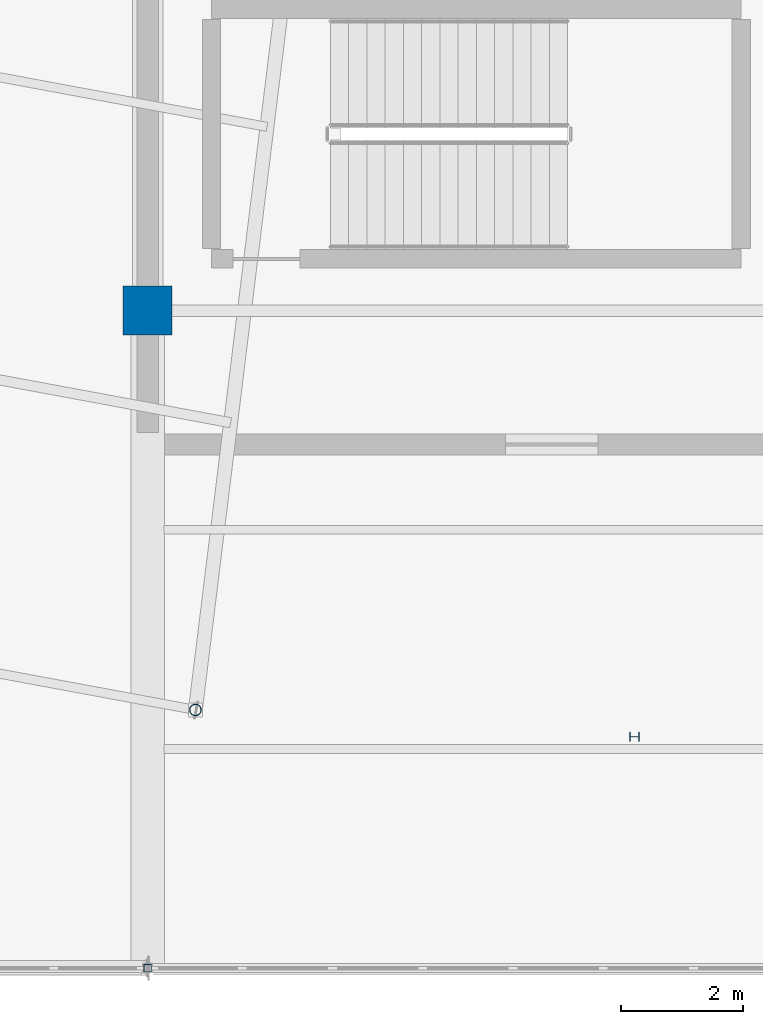
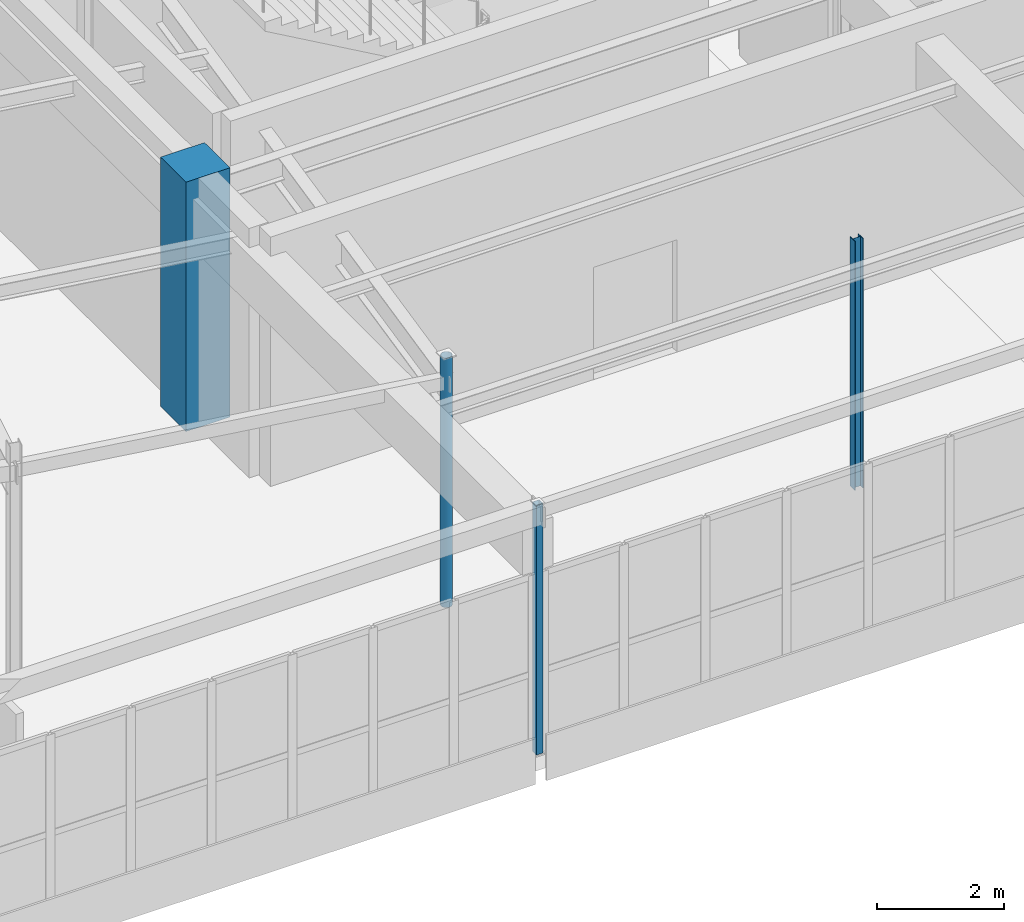
# One storey, part 6 of 186: 4 columns.
"""IFC4 building model written with IfcOpenShell, lengths in metres."""

from ifc_helpers import new_model, si_unit, direction, frame, origin, origin_2d, place, context, subcontext, project, spatial, rectangle, hollow_rectangle, hollow_circle, i_section, extrude, material, material_profile, profile_set, type_object, element, save


model = new_model("IFC4")

# Units and contexts
model_context = context("Model", 3, precision=1e-05, world=origin(), true_north=direction((0.0, 1.0)))
body_context = subcontext(model_context, "Body", "Model", "MODEL_VIEW")
ifc_project = project(units=[si_unit("LENGTHUNIT", "METRE"), si_unit("AREAUNIT", "SQUARE_METRE"), si_unit("VOLUMEUNIT", "CUBIC_METRE"), si_unit("PLANEANGLEUNIT", "RADIAN"), si_unit("MASSUNIT", "GRAM", prefix="KILO")], contexts=[model_context])

# Site, building, storey
site_placement = place(None, origin())
site = spatial("IfcSite", under=ifc_project, at=site_placement, CompositionType="ELEMENT")
building_placement = place(site_placement, origin())
building = spatial("IfcBuilding", under=site, at=building_placement, Name="Tarnwether General Hospital", CompositionType="ELEMENT")
storey_placement = place(building_placement, frame((0.0, 0.0, 9.60009765625)))
storey = spatial("IfcBuildingStorey", under=building, at=storey_placement, Name="L02", CompositionType="ELEMENT", Elevation=9.60009765625)

# Columns
ifc_material_1 = material(Name="Concrete 50 MPa", Category="concrete")
ifc_material_profile_1 = material_profile(ifc_material_1, rectangle(XDim=0.800048828125, YDim=0.800048828125, at=origin_2d()), Name="RC-COL-800x800")
ifc_profile_set_1 = profile_set([ifc_material_profile_1], Name="Concrete 50 MPa")
column_type_1 = type_object("IfcColumnType", Name="COL-16", PredefinedType="COLUMN", material=ifc_profile_set_1)
column_1_placement = place(storey_placement, frame((84.0, 10.800048828125, 0.0), z_axis=(0.0, 0.0, 1.0), x_axis=(0.0, 1.0, 0.0)))
element("IfcColumn", 1, at=column_1_placement, inside=storey, type_object=column_type_1, Name="Column COLG-L02-8400_1080", PredefinedType="COLUMN", context=body_context, shape_type="SweptSolid", body=[
    extrude(rectangle(XDim=0.800048828125, YDim=0.800048828125, at=origin_2d()), origin(), (0.0, 0.0, 1.0), 4.7998046875),
])
ifc_material_2 = material(Name="Steel Grade C350L0 (350 MPa)", Category="steel")
ifc_material_profile_2 = material_profile(ifc_material_2, hollow_circle(Radius=0.096923828125, WallThickness=0.008056640625, at=origin_2d()), Name="CHS193.7x8.0")
ifc_profile_set_2 = profile_set([ifc_material_profile_2], Name="Steel Grade C350L0 (350 MPa)")
column_type_2 = type_object("IfcColumnType", Name="COL-29", PredefinedType="COLUMN", material=ifc_profile_set_2)
column_2_placement = place(storey_placement, frame((84.784912109375, 4.240966796875, 0.0), z_axis=(0.0, 0.0, 1.0), x_axis=(0.121869343405, 0.992546151641, 0.0)))
element("IfcColumn", 2, at=column_2_placement, inside=storey, type_object=column_type_2, Name="Column COLG-L02-8478_424", PredefinedType="COLUMN", context=body_context, shape_type="SweptSolid", body=[
    extrude(hollow_circle(Radius=0.096923828125, WallThickness=0.008056640625, at=origin_2d()), origin(), (0.0, 0.0, 1.0), 4.7998046875),
])
ifc_material_3 = material(Name="Steel Grade 350 (350 MPa)", Category="steel")
ifc_material_profile_3 = material_profile(ifc_material_3, i_section(OverallWidth=0.153076171875, OverallDepth=0.157958984375, WebThickness=0.006591796875, FlangeThickness=0.009521484375, at=origin_2d()), Name="150UC30.0")
ifc_profile_set_3 = profile_set([ifc_material_profile_3], Name="Steel Grade 350 (350 MPa)")
column_type_3 = type_object("IfcColumnType", Name="COL-31", PredefinedType="COLUMN", material=ifc_profile_set_3)
column_3_placement = place(storey_placement, frame((92.0, 3.800048828125, 0.0), z_axis=(0.0, 0.0, 1.0), x_axis=(0.0, 1.0, 0.0)))
element("IfcColumn", 3, at=column_3_placement, inside=storey, type_object=column_type_3, Name="Column COLG-L02-9200_380", PredefinedType="COLUMN", context=body_context, shape_type="SweptSolid", body=[
    extrude(i_section(OverallWidth=0.153076171875, OverallDepth=0.157958984375, WebThickness=0.006591796875, FlangeThickness=0.009521484375, at=origin_2d()), origin(), (0.0, 0.0, 1.0), 4.7998046875),
])
ifc_material_4 = material(Name="Steel Grade C350L0 (350 MPa)", Category="steel")
ifc_material_profile_4 = material_profile(ifc_material_4, hollow_rectangle(XDim=0.125, YDim=0.125, WallThickness=0.006103515625, at=origin_2d()), Name="SHS125x125x6")
ifc_profile_set_4 = profile_set([ifc_material_profile_4], Name="Steel Grade C350L0 (350 MPa)")
column_type_4 = type_object("IfcColumnType", Name="COL-34", PredefinedType="COLUMN", material=ifc_profile_set_4)
column_4_placement = place(storey_placement, frame((84.0, 0.0, 0.0), z_axis=(0.0, 0.0, 1.0), x_axis=(0.0, 1.0, 0.0)))
element("IfcColumn", 4, at=column_4_placement, inside=storey, type_object=column_type_4, Name="Column COLG-L02-8400_0", PredefinedType="COLUMN", context=body_context, shape_type="SweptSolid", body=[
    extrude(hollow_rectangle(XDim=0.125, YDim=0.125, WallThickness=0.006103515625, at=origin_2d()), origin(), (0.0, 0.0, 1.0), 4.7998046875),
])

save(model, "model.ifc")
